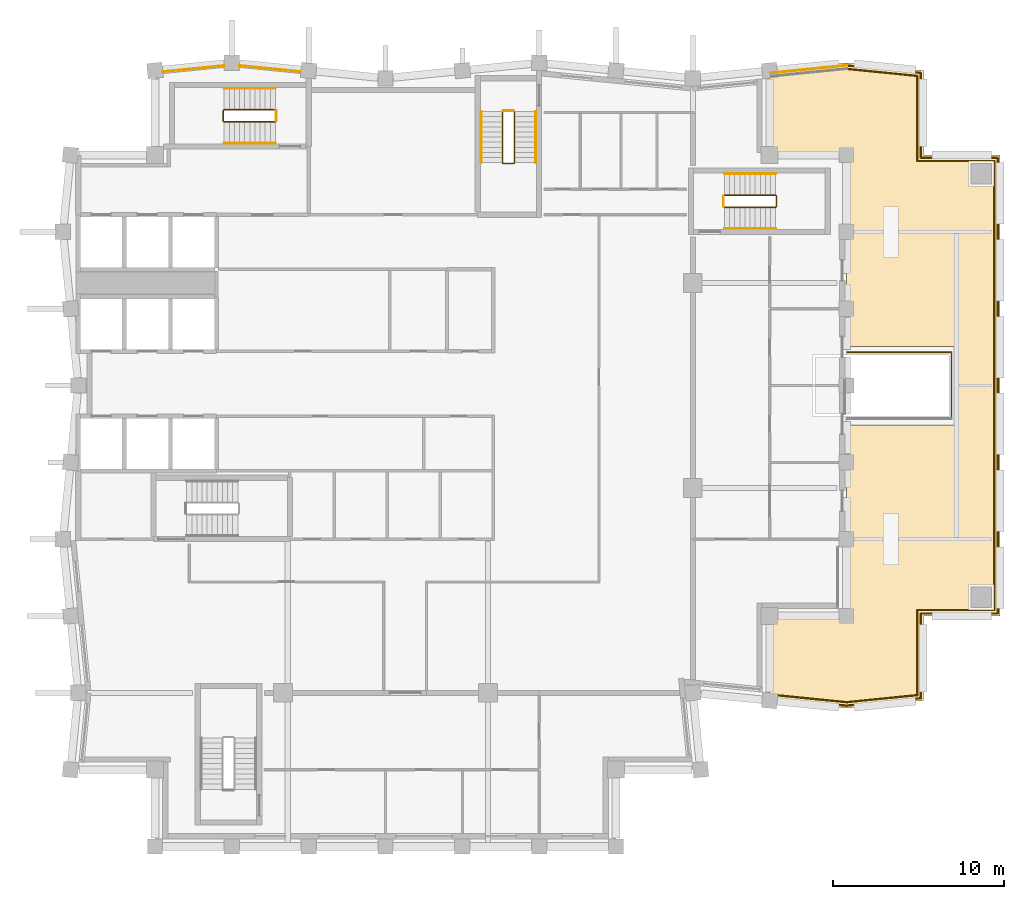
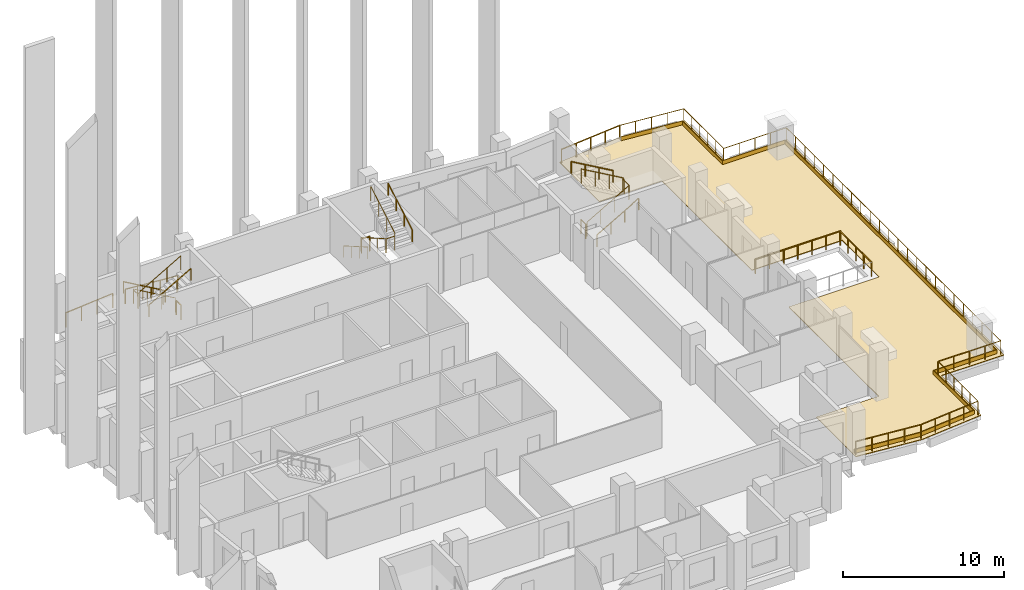
# One storey, part 10 of 11: 17 railings, 2 coverings.
"""IFC4 building model written with IfcOpenShell, lengths in metres."""

from ifc_helpers import new_model, si_unit, direction, frame, origin, origin_2d, place, context, subcontext, project, spatial, polyline, circle, outline, extrude, material, layer, layer_set, type_object, element, save


model = new_model("IFC4")

# Units and contexts
model_context = context("Model", 3, precision=1e-05, world=origin(), true_north=direction((0.0, 1.0)))
body_context = subcontext(model_context, "Body", "Model", "MODEL_VIEW")
ifc_project = project(units=[si_unit("LENGTHUNIT", "METRE"), si_unit("AREAUNIT", "SQUARE_METRE"), si_unit("VOLUMEUNIT", "CUBIC_METRE"), si_unit("PLANEANGLEUNIT", "RADIAN"), si_unit("MASSUNIT", "GRAM", prefix="KILO")], contexts=[model_context])

# Site, building, storey
site_placement = place(None, origin())
site = spatial("IfcSite", under=ifc_project, at=site_placement, CompositionType="ELEMENT")
building_placement = place(site_placement, origin())
building = spatial("IfcBuilding", under=site, at=building_placement, Name="Brondeck Convention Tower", CompositionType="ELEMENT")
storey_placement = place(building_placement, frame((0.0, 0.0, 252.39990234375)))
storey = spatial("IfcBuildingStorey", under=building, at=storey_placement, Name="L62", CompositionType="ELEMENT", Elevation=252.39990234375)

# Railings
ifc_material_1 = material(Name="Steel S355, bronze painted", Category="steel")
railing_type_1 = type_object("IfcRailingType", Name="Guard, bronze steel rail and posts", PredefinedType="GUARDRAIL", material=ifc_material_1)
railing_1_placement = place(storey_placement, frame((45.050048828125, 46.949951171875, 0.0)))
element("IfcRailing", 1, at=railing_1_placement, inside=storey, type_object=railing_type_1, Name="ENV-S3-1-WRL2", PredefinedType="GUARDRAIL", context=body_context, shape_type="SweptSolid", body=[
    extrude(circle(Radius=0.02490234375, at=origin_2d()), frame((0.0, 0.0, 1.0751953125), z_axis=(1.0, 0.0, 0.0), x_axis=(0.0, 1.0, 0.0)), (0.0, 0.0, 1.0), 6.099853515625),
    extrude(circle(Radius=0.02490234375, at=origin_2d()), frame((6.099853515625, 0.0, 1.0751953125), z_axis=(0.0, -1.0, 0.0), x_axis=(1.0, 0.0, 0.0)), (0.0, 0.0, 1.0), 3.89990234375),
    extrude(circle(Radius=0.02490234375, at=origin_2d()), origin(), (0.0, 0.0, 1.0), 1.050048828125),
    extrude(circle(Radius=0.02490234375, at=origin_2d()), frame((1.0166015625, 0.0, 0.0)), (0.0, 0.0, 1.0), 1.050048828125),
    extrude(circle(Radius=0.02490234375, at=origin_2d()), frame((2.033203125, 0.0, 0.0)), (0.0, 0.0, 1.0), 1.050048828125),
    extrude(circle(Radius=0.02490234375, at=origin_2d()), frame((3.0498046875, 0.0, 0.0)), (0.0, 0.0, 1.0), 1.050048828125),
    extrude(circle(Radius=0.02490234375, at=origin_2d()), frame((4.066650390625, 0.0, 0.0)), (0.0, 0.0, 1.0), 1.050048828125),
    extrude(circle(Radius=0.02490234375, at=origin_2d()), frame((5.083251953125, 0.0, 0.0)), (0.0, 0.0, 1.0), 1.050048828125),
    extrude(circle(Radius=0.02490234375, at=origin_2d()), frame((6.099853515625, 0.0, 0.0)), (0.0, 0.0, 1.0), 1.050048828125),
    extrude(circle(Radius=0.02490234375, at=origin_2d()), frame((6.099853515625, -0.97509765625, 0.0)), (0.0, 0.0, 1.0), 1.050048828125),
    extrude(circle(Radius=0.02490234375, at=origin_2d()), frame((6.099853515625, -1.949951171875, 0.0)), (0.0, 0.0, 1.0), 1.050048828125),
    extrude(circle(Radius=0.02490234375, at=origin_2d()), frame((6.099853515625, -2.9248046875, 0.0)), (0.0, 0.0, 1.0), 1.050048828125),
    extrude(circle(Radius=0.02490234375, at=origin_2d()), frame((6.099853515625, -3.89990234375, 0.0)), (0.0, 0.0, 1.0), 1.050048828125),
])
railing_2_placement = place(storey_placement, frame((44.985107421875, 63.750732421875, 0.0)))
element("IfcRailing", 2, at=railing_2_placement, inside=storey, type_object=railing_type_1, Name="ENV-S3-1a-RL1", PredefinedType="GUARDRAIL", context=body_context, shape_type="SweptSolid", body=[
    extrude(circle(Radius=0.02490234375, at=origin_2d()), frame((0.0, 0.0, 1.0751953125), z_axis=(0.995036639166, -0.09950922931, 0.0), x_axis=(0.09950922931, 0.995036639166, 0.0)), (0.0, 0.0, 1.0), 4.38671875),
    extrude(circle(Radius=0.02490234375, at=origin_2d()), frame((4.364990234375, -0.4365234375, 1.0751953125), z_axis=(0.0, -1.0, 0.0), x_axis=(1.0, 0.0, 0.0)), (0.0, 0.0, 1.0), 4.964111328125),
    extrude(circle(Radius=0.02490234375, at=origin_2d()), frame((4.364990234375, -5.400634765625, 1.0751953125), z_axis=(1.0, 0.0, 0.0), x_axis=(0.0, 1.0, 0.0)), (0.0, 0.0, 1.0), 4.5),
    extrude(circle(Radius=0.02490234375, at=origin_2d()), frame((8.864990234375, -5.400634765625, 1.0751953125), z_axis=(0.0, -1.0, 0.0), x_axis=(1.0, 0.0, 0.0)), (0.0, 0.0, 1.0), 26.7001953125),
    extrude(circle(Radius=0.02490234375, at=origin_2d()), frame((8.864990234375, -32.100830078125, 1.0751953125), z_axis=(-1.0, 0.0, 0.0), x_axis=(0.0, -1.0, 0.0)), (0.0, 0.0, 1.0), 4.5),
    extrude(circle(Radius=0.02490234375, at=origin_2d()), frame((4.364990234375, -32.100830078125, 1.0751953125), z_axis=(0.0, -1.0, 0.0), x_axis=(1.0, 0.0, 0.0)), (0.0, 0.0, 1.0), 4.964111328125),
    extrude(circle(Radius=0.02490234375, at=origin_2d()), frame((4.364990234375, -37.06494140625, 1.0751953125), z_axis=(-0.995036084318, -0.099514777318, 0.0), x_axis=(0.099514777318, -0.995036084318, 0.0)), (0.0, 0.0, 1.0), 4.371826171875),
    extrude(circle(Radius=0.02490234375, at=origin_2d()), frame((0.014892578125, -37.5, 1.0751953125), z_axis=(-0.995035563198, 0.099519987798, 0.0), x_axis=(-0.099519987798, -0.995035563198, 0.0)), (0.0, 0.0, 1.0), 4.45751953125),
    extrude(circle(Radius=0.02490234375, at=origin_2d()), origin(), (0.0, 0.0, 1.0), 1.050048828125),
    extrude(circle(Radius=0.02490234375, at=origin_2d()), frame((1.09130859375, -0.109130859375, 0.0)), (0.0, 0.0, 1.0), 1.050048828125),
    extrude(circle(Radius=0.02490234375, at=origin_2d()), frame((2.1826171875, -0.21826171875, 0.0)), (0.0, 0.0, 1.0), 1.050048828125),
    extrude(circle(Radius=0.02490234375, at=origin_2d()), frame((3.273681640625, -0.327392578125, 0.0)), (0.0, 0.0, 1.0), 1.050048828125),
    extrude(circle(Radius=0.02490234375, at=origin_2d()), frame((4.364990234375, -0.4365234375, 0.0)), (0.0, 0.0, 1.0), 1.050048828125),
    extrude(circle(Radius=0.02490234375, at=origin_2d()), frame((4.364990234375, -1.429443359375, 0.0)), (0.0, 0.0, 1.0), 1.050048828125),
    extrude(circle(Radius=0.02490234375, at=origin_2d()), frame((4.364990234375, -2.422119140625, 0.0)), (0.0, 0.0, 1.0), 1.050048828125),
    extrude(circle(Radius=0.02490234375, at=origin_2d()), frame((4.364990234375, -3.4150390625, 0.0)), (0.0, 0.0, 1.0), 1.050048828125),
    extrude(circle(Radius=0.02490234375, at=origin_2d()), frame((4.364990234375, -4.40771484375, 0.0)), (0.0, 0.0, 1.0), 1.050048828125),
    extrude(circle(Radius=0.02490234375, at=origin_2d()), frame((4.364990234375, -5.400634765625, 0.0)), (0.0, 0.0, 1.0), 1.050048828125),
    extrude(circle(Radius=0.02490234375, at=origin_2d()), frame((5.489990234375, -5.400634765625, 0.0)), (0.0, 0.0, 1.0), 1.050048828125),
    extrude(circle(Radius=0.02490234375, at=origin_2d()), frame((6.614990234375, -5.400634765625, 0.0)), (0.0, 0.0, 1.0), 1.050048828125),
    extrude(circle(Radius=0.02490234375, at=origin_2d()), frame((7.739990234375, -5.400634765625, 0.0)), (0.0, 0.0, 1.0), 1.050048828125),
    extrude(circle(Radius=0.02490234375, at=origin_2d()), frame((8.864990234375, -5.400634765625, 0.0)), (0.0, 0.0, 1.0), 1.050048828125),
    extrude(circle(Radius=0.02490234375, at=origin_2d()), frame((8.864990234375, -6.5615234375, 0.0)), (0.0, 0.0, 1.0), 1.050048828125),
    extrude(circle(Radius=0.02490234375, at=origin_2d()), frame((8.864990234375, -7.722412109375, 0.0)), (0.0, 0.0, 1.0), 1.050048828125),
    extrude(circle(Radius=0.02490234375, at=origin_2d()), frame((8.864990234375, -8.88330078125, 0.0)), (0.0, 0.0, 1.0), 1.050048828125),
    extrude(circle(Radius=0.02490234375, at=origin_2d()), frame((8.864990234375, -10.044189453125, 0.0)), (0.0, 0.0, 1.0), 1.050048828125),
    extrude(circle(Radius=0.02490234375, at=origin_2d()), frame((8.864990234375, -11.205078125, 0.0)), (0.0, 0.0, 1.0), 1.050048828125),
    extrude(circle(Radius=0.02490234375, at=origin_2d()), frame((8.864990234375, -12.365966796875, 0.0)), (0.0, 0.0, 1.0), 1.050048828125),
    extrude(circle(Radius=0.02490234375, at=origin_2d()), frame((8.864990234375, -13.52685546875, 0.0)), (0.0, 0.0, 1.0), 1.050048828125),
    extrude(circle(Radius=0.02490234375, at=origin_2d()), frame((8.864990234375, -14.687744140625, 0.0)), (0.0, 0.0, 1.0), 1.050048828125),
    extrude(circle(Radius=0.02490234375, at=origin_2d()), frame((8.864990234375, -15.8486328125, 0.0)), (0.0, 0.0, 1.0), 1.050048828125),
    extrude(circle(Radius=0.02490234375, at=origin_2d()), frame((8.864990234375, -17.009521484375, 0.0)), (0.0, 0.0, 1.0), 1.050048828125),
    extrude(circle(Radius=0.02490234375, at=origin_2d()), frame((8.864990234375, -18.17041015625, 0.0)), (0.0, 0.0, 1.0), 1.050048828125),
    extrude(circle(Radius=0.02490234375, at=origin_2d()), frame((8.864990234375, -19.3310546875, 0.0)), (0.0, 0.0, 1.0), 1.050048828125),
    extrude(circle(Radius=0.02490234375, at=origin_2d()), frame((8.864990234375, -20.491943359375, 0.0)), (0.0, 0.0, 1.0), 1.050048828125),
    extrude(circle(Radius=0.02490234375, at=origin_2d()), frame((8.864990234375, -21.65283203125, 0.0)), (0.0, 0.0, 1.0), 1.050048828125),
    extrude(circle(Radius=0.02490234375, at=origin_2d()), frame((8.864990234375, -22.813720703125, 0.0)), (0.0, 0.0, 1.0), 1.050048828125),
    extrude(circle(Radius=0.02490234375, at=origin_2d()), frame((8.864990234375, -23.974609375, 0.0)), (0.0, 0.0, 1.0), 1.050048828125),
    extrude(circle(Radius=0.02490234375, at=origin_2d()), frame((8.864990234375, -25.135498046875, 0.0)), (0.0, 0.0, 1.0), 1.050048828125),
    extrude(circle(Radius=0.02490234375, at=origin_2d()), frame((8.864990234375, -26.29638671875, 0.0)), (0.0, 0.0, 1.0), 1.050048828125),
    extrude(circle(Radius=0.02490234375, at=origin_2d()), frame((8.864990234375, -27.457275390625, 0.0)), (0.0, 0.0, 1.0), 1.050048828125),
    extrude(circle(Radius=0.02490234375, at=origin_2d()), frame((8.864990234375, -28.6181640625, 0.0)), (0.0, 0.0, 1.0), 1.050048828125),
    extrude(circle(Radius=0.02490234375, at=origin_2d()), frame((8.864990234375, -29.779052734375, 0.0)), (0.0, 0.0, 1.0), 1.050048828125),
    extrude(circle(Radius=0.02490234375, at=origin_2d()), frame((8.864990234375, -30.93994140625, 0.0)), (0.0, 0.0, 1.0), 1.050048828125),
    extrude(circle(Radius=0.02490234375, at=origin_2d()), frame((8.864990234375, -32.100830078125, 0.0)), (0.0, 0.0, 1.0), 1.050048828125),
    extrude(circle(Radius=0.02490234375, at=origin_2d()), frame((7.739990234375, -32.100830078125, 0.0)), (0.0, 0.0, 1.0), 1.050048828125),
    extrude(circle(Radius=0.02490234375, at=origin_2d()), frame((6.614990234375, -32.100830078125, 0.0)), (0.0, 0.0, 1.0), 1.050048828125),
    extrude(circle(Radius=0.02490234375, at=origin_2d()), frame((5.489990234375, -32.100830078125, 0.0)), (0.0, 0.0, 1.0), 1.050048828125),
    extrude(circle(Radius=0.02490234375, at=origin_2d()), frame((4.364990234375, -32.100830078125, 0.0)), (0.0, 0.0, 1.0), 1.050048828125),
    extrude(circle(Radius=0.02490234375, at=origin_2d()), frame((4.364990234375, -33.09375, 0.0)), (0.0, 0.0, 1.0), 1.050048828125),
    extrude(circle(Radius=0.02490234375, at=origin_2d()), frame((4.364990234375, -34.08642578125, 0.0)), (0.0, 0.0, 1.0), 1.050048828125),
    extrude(circle(Radius=0.02490234375, at=origin_2d()), frame((4.364990234375, -35.079345703125, 0.0)), (0.0, 0.0, 1.0), 1.050048828125),
    extrude(circle(Radius=0.02490234375, at=origin_2d()), frame((4.364990234375, -36.072021484375, 0.0)), (0.0, 0.0, 1.0), 1.050048828125),
    extrude(circle(Radius=0.02490234375, at=origin_2d()), frame((4.364990234375, -37.06494140625, 0.0)), (0.0, 0.0, 1.0), 1.050048828125),
    extrude(circle(Radius=0.02490234375, at=origin_2d()), frame((3.27734375, -37.173828125, 0.0)), (0.0, 0.0, 1.0), 1.050048828125),
    extrude(circle(Radius=0.02490234375, at=origin_2d()), frame((2.18994140625, -37.282470703125, 0.0)), (0.0, 0.0, 1.0), 1.050048828125),
    extrude(circle(Radius=0.02490234375, at=origin_2d()), frame((1.1025390625, -37.39111328125, 0.0)), (0.0, 0.0, 1.0), 1.050048828125),
    extrude(circle(Radius=0.02490234375, at=origin_2d()), frame((0.014892578125, -37.5, 0.0)), (0.0, 0.0, 1.0), 1.050048828125),
    extrude(circle(Radius=0.02490234375, at=origin_2d()), frame((-1.093994140625, -37.38916015625, 0.0)), (0.0, 0.0, 1.0), 1.050048828125),
    extrude(circle(Radius=0.02490234375, at=origin_2d()), frame((-2.20263671875, -37.2783203125, 0.0)), (0.0, 0.0, 1.0), 1.050048828125),
    extrude(circle(Radius=0.02490234375, at=origin_2d()), frame((-3.3115234375, -37.167236328125, 0.0)), (0.0, 0.0, 1.0), 1.050048828125),
    extrude(circle(Radius=0.02490234375, at=origin_2d()), frame((-4.42041015625, -37.056396484375, 0.0)), (0.0, 0.0, 1.0), 1.050048828125),
])
railing_3_placement = place(storey_placement, frame((40.564697265625, 63.3056640625, 0.0)))
element("IfcRailing", 3, at=railing_3_placement, inside=storey, type_object=railing_type_1, Name="ENV-S3-1b-RL1", PredefinedType="GUARDRAIL", context=body_context, shape_type="SweptSolid", body=[
    extrude(circle(Radius=0.02490234375, at=origin_2d()), frame((0.0, 0.0, 1.0751953125), z_axis=(0.995036109194, 0.099514528586, 0.0), x_axis=(-0.099514528586, 0.995036109194, 0.0)), (0.0, 0.0, 1.0), 4.472412109375),
    extrude(circle(Radius=0.02490234375, at=origin_2d()), origin(), (0.0, 0.0, 1.0), 1.050048828125),
    extrude(circle(Radius=0.02490234375, at=origin_2d()), frame((1.112548828125, 0.111328125, 0.0)), (0.0, 0.0, 1.0), 1.050048828125),
    extrude(circle(Radius=0.02490234375, at=origin_2d()), frame((2.22509765625, 0.22265625, 0.0)), (0.0, 0.0, 1.0), 1.050048828125),
    extrude(circle(Radius=0.02490234375, at=origin_2d()), frame((3.337646484375, 0.333740234375, 0.0)), (0.0, 0.0, 1.0), 1.050048828125),
    extrude(circle(Radius=0.02490234375, at=origin_2d()), frame((4.4501953125, 0.445068359375, 0.0)), (0.0, 0.0, 1.0), 1.050048828125),
])
railing_4_placement = place(storey_placement, frame((4.9794921875, 63.37744140625, 0.0)))
element("IfcRailing", 4, at=railing_4_placement, inside=storey, type_object=railing_type_1, Name="ENV-RL-L62-REAR1", PredefinedType="GUARDRAIL", context=body_context, shape_type="SweptSolid", body=[
    extrude(circle(Radius=0.02490234375, at=origin_2d()), frame((0.0, 0.0, 1.0751953125), z_axis=(0.995037864926, 0.099496971632, 0.0), x_axis=(-0.099496971632, 0.995037864926, 0.0)), (0.0, 0.0, 1.0), 3.58251953125),
    extrude(circle(Radius=0.02490234375, at=origin_2d()), origin(), (0.0, 0.0, 1.0), 1.050048828125),
    extrude(circle(Radius=0.02490234375, at=origin_2d()), frame((1.188232421875, 0.118896484375, 0.0)), (0.0, 0.0, 1.0), 1.050048828125),
    extrude(circle(Radius=0.02490234375, at=origin_2d()), frame((2.37646484375, 0.237548828125, 0.0)), (0.0, 0.0, 1.0), 1.050048828125),
    extrude(circle(Radius=0.02490234375, at=origin_2d()), frame((3.564697265625, 0.3564453125, 0.0)), (0.0, 0.0, 1.0), 1.050048828125),
])
railing_5_placement = place(storey_placement, frame((9.455810546875, 63.73388671875, 0.0)))
element("IfcRailing", 5, at=railing_5_placement, inside=storey, type_object=railing_type_1, Name="ENV-RL-L62-REAR2", PredefinedType="GUARDRAIL", context=body_context, shape_type="SweptSolid", body=[
    extrude(circle(Radius=0.02490234375, at=origin_2d()), frame((0.0, 0.0, 1.0751953125), z_axis=(0.995037864926, -0.099496971632, 0.0), x_axis=(0.099496971632, 0.995037864926, 0.0)), (0.0, 0.0, 1.0), 3.58251953125),
    extrude(circle(Radius=0.02490234375, at=origin_2d()), origin(), (0.0, 0.0, 1.0), 1.050048828125),
    extrude(circle(Radius=0.02490234375, at=origin_2d()), frame((1.188232421875, -0.118896484375, 0.0)), (0.0, 0.0, 1.0), 1.050048828125),
    extrude(circle(Radius=0.02490234375, at=origin_2d()), frame((2.37646484375, -0.237548828125, 0.0)), (0.0, 0.0, 1.0), 1.050048828125),
    extrude(circle(Radius=0.02490234375, at=origin_2d()), frame((3.564697265625, -0.3564453125, 0.0)), (0.0, 0.0, 1.0), 1.050048828125),
])

# Covering
ifc_material_2 = material(Name="Aluminium, bronze anodised", Category="aluminium")
ifc_layer_1 = layer(ifc_material_2, 0.050048828125)
ifc_layer_set_1 = layer_set([ifc_layer_1], Name="Snow retention bar")
covering_type_1 = type_object("IfcCoveringType", Name="Snow retention bar", PredefinedType="MOLDING", material=ifc_layer_set_1)
covering_1_placement = place(storey_placement, frame((0.0, 0.0, 0.050048828125)))
element("IfcCovering", 6, at=covering_1_placement, inside=storey, type_object=covering_type_1, Name="ENV-S3-1a-SR1", PredefinedType="MOLDING", context=body_context, shape_type="SweptSolid", body=[
    extrude(outline(polyline([(49.175048828125, 63.156005859375), (44.9677734375, 63.57666015625), (44.962646484375, 63.52685546875), (49.125, 63.110595703125), (49.125, 58.125), (53.625, 58.125), (53.625, 31.875), (49.125, 31.875), (49.125, 26.889404296875), (45.0, 26.476806640625), (40.5869140625, 26.918212890625), (40.58203125, 26.868408203125), (45.0, 26.426513671875), (49.175048828125, 26.843994140625), (49.175048828125, 31.824951171875), (53.675048828125, 31.824951171875), (53.675048828125, 58.175048828125), (49.175048828125, 58.175048828125), (49.175048828125, 63.156005859375)])), origin(), (0.0, 0.0, 1.0), 0.300048828125),
])

# Railings
ifc_material_3 = material(Name="Steel S355", Category="steel")
railing_type_2 = type_object("IfcRailingType", Name="Stair guard 1100", PredefinedType="GUARDRAIL", material=ifc_material_3)
railing_6_placement = place(storey_placement, frame((24.85009765625, 61.050048828125, 0.1728515625)))
element("IfcRailing", 7, at=railing_6_placement, inside=storey, type_object=railing_type_2, Name="L62 ST-2 stair guard 1", PredefinedType="GUARDRAIL", context=body_context, shape_type="SweptSolid", body=[
    extrude(circle(Radius=0.02392578125, at=origin_2d()), frame((0.0, 0.0, 1.076171875), z_axis=(0.0, -0.866619684472, 0.498969260062), x_axis=(1.0, 0.0, 0.0)), (0.0, 0.0, 1.0), 3.461669921875),
    extrude(circle(Radius=0.02392578125, at=origin_2d()), frame((0.0, -3.0, 2.80322265625), z_axis=(0.705375805398, -0.708833529934, 0.0), x_axis=(0.708833529934, 0.705375805398, 0.0)), (0.0, 0.0, 1.0), 0.070556640625),
    extrude(circle(Radius=0.02392578125, at=origin_2d()), frame((0.0498046875, -3.050048828125, 2.80322265625), z_axis=(1.0, 0.0, 0.0), x_axis=(0.0, 1.0, 0.0)), (0.0, 0.0, 1.0), 0.60009765625),
    extrude(circle(Radius=0.02392578125, at=origin_2d()), frame((0.64990234375, -3.050048828125, 2.80322265625), z_axis=(0.268277960024, 0.268277960024, 0.925231793839), x_axis=(-0.707106781187, 0.707106781187, 0.0)), (0.0, 0.0, 1.0), 0.1865234375),
    extrude(circle(Radius=0.02392578125, at=origin_2d()), frame((0.699951171875, -3.0, 2.97607421875), z_axis=(0.0, 0.866619684472, 0.498969260062), x_axis=(-1.0, 0.0, 0.0)), (0.0, 0.0, 1.0), 3.461669921875),
    extrude(circle(Radius=0.02099609375, at=origin_2d()), origin(), (0.0, 0.0, 1.0), 1.052001953125),
    extrude(circle(Radius=0.02099609375, at=origin_2d()), frame((0.0, -1.0, 0.57568359375)), (0.0, 0.0, 1.0), 1.052001953125),
    extrude(circle(Radius=0.02099609375, at=origin_2d()), frame((0.0, -2.0, 1.151611328125)), (0.0, 0.0, 1.0), 1.052001953125),
    extrude(circle(Radius=0.02099609375, at=origin_2d()), frame((0.0, -3.0, 1.727294921875)), (0.0, 0.0, 1.0), 1.052001953125),
    extrude(circle(Radius=0.02099609375, at=origin_2d()), frame((0.0498046875, -3.050048828125, 1.727294921875)), (0.0, 0.0, 1.0), 1.052001953125),
    extrude(circle(Radius=0.02099609375, at=origin_2d()), frame((0.64990234375, -3.050048828125, 1.727294921875)), (0.0, 0.0, 1.0), 1.052001953125),
    extrude(circle(Radius=0.02099609375, at=origin_2d()), frame((0.699951171875, -3.0, 1.89990234375)), (0.0, 0.0, 1.0), 1.052001953125),
    extrude(circle(Radius=0.02099609375, at=origin_2d()), frame((0.699951171875, -2.0, 2.4755859375)), (0.0, 0.0, 1.0), 1.052001953125),
    extrude(circle(Radius=0.02099609375, at=origin_2d()), frame((0.699951171875, -1.0, 3.051513671875)), (0.0, 0.0, 1.0), 1.052001953125),
    extrude(circle(Radius=0.02099609375, at=origin_2d()), frame((0.699951171875, 0.0, 3.627197265625)), (0.0, 0.0, 1.0), 1.052001953125),
])
railing_7_placement = place(storey_placement, frame((24.89990234375, 61.10009765625, 0.0)))
element("IfcRailing", 8, at=railing_7_placement, inside=storey, type_object=railing_type_2, Name="L62 ST-2 stair guard 2", PredefinedType="GUARDRAIL", context=body_context, shape_type="SweptSolid", body=[
    extrude(circle(Radius=0.02392578125, at=origin_2d()), frame((0.0, 0.0, 1.076171875), z_axis=(1.0, 0.0, 0.0), x_axis=(0.0, 1.0, 0.0)), (0.0, 0.0, 1.0), 0.60009765625),
    extrude(circle(Radius=0.02099609375, at=origin_2d()), origin(), (0.0, 0.0, 1.0), 1.052001953125),
    extrude(circle(Radius=0.02099609375, at=origin_2d()), frame((0.60009765625, 0.0, 0.0)), (0.0, 0.0, 1.0), 1.052001953125),
])
railing_8_placement = place(storey_placement, frame((11.550048828125, 61.14990234375, 0.1728515625)))
element("IfcRailing", 9, at=railing_8_placement, inside=storey, type_object=railing_type_2, Name="L62 ST-3 stair guard 1", PredefinedType="GUARDRAIL", context=body_context, shape_type="SweptSolid", body=[
    extrude(circle(Radius=0.02392578125, at=origin_2d()), frame((0.0, 0.0, 1.076171875), z_axis=(-0.866619684472, 0.0, 0.498969260062), x_axis=(0.0, -1.0, 0.0)), (0.0, 0.0, 1.0), 3.461669921875),
    extrude(circle(Radius=0.02392578125, at=origin_2d()), frame((-3.0, 0.0, 2.80322265625), z_axis=(-0.708833529934, -0.705375805398, 0.0), x_axis=(0.705375805398, -0.708833529934, 0.0)), (0.0, 0.0, 1.0), 0.070556640625),
    extrude(circle(Radius=0.02392578125, at=origin_2d()), frame((-3.050048828125, -0.0498046875, 2.80322265625), z_axis=(0.0, -1.0, 0.0), x_axis=(1.0, 0.0, 0.0)), (0.0, 0.0, 1.0), 0.60009765625),
    extrude(circle(Radius=0.02392578125, at=origin_2d()), frame((-3.050048828125, -0.64990234375, 2.80322265625), z_axis=(0.268277960024, -0.268277960024, 0.925231793839), x_axis=(0.707106781187, 0.707106781187, 0.0)), (0.0, 0.0, 1.0), 0.1865234375),
    extrude(circle(Radius=0.02392578125, at=origin_2d()), frame((-3.0, -0.699951171875, 2.97607421875), z_axis=(0.866619684472, 0.0, 0.498969260062), x_axis=(0.0, 1.0, 0.0)), (0.0, 0.0, 1.0), 3.461669921875),
    extrude(circle(Radius=0.02099609375, at=origin_2d()), origin(), (0.0, 0.0, 1.0), 1.052001953125),
    extrude(circle(Radius=0.02099609375, at=origin_2d()), frame((-1.0, 0.0, 0.57568359375)), (0.0, 0.0, 1.0), 1.052001953125),
    extrude(circle(Radius=0.02099609375, at=origin_2d()), frame((-2.0, 0.0, 1.151611328125)), (0.0, 0.0, 1.0), 1.052001953125),
    extrude(circle(Radius=0.02099609375, at=origin_2d()), frame((-3.0, 0.0, 1.727294921875)), (0.0, 0.0, 1.0), 1.052001953125),
    extrude(circle(Radius=0.02099609375, at=origin_2d()), frame((-3.050048828125, -0.0498046875, 1.727294921875)), (0.0, 0.0, 1.0), 1.052001953125),
    extrude(circle(Radius=0.02099609375, at=origin_2d()), frame((-3.050048828125, -0.64990234375, 1.727294921875)), (0.0, 0.0, 1.0), 1.052001953125),
    extrude(circle(Radius=0.02099609375, at=origin_2d()), frame((-3.0, -0.699951171875, 1.89990234375)), (0.0, 0.0, 1.0), 1.052001953125),
    extrude(circle(Radius=0.02099609375, at=origin_2d()), frame((-2.0, -0.699951171875, 2.4755859375)), (0.0, 0.0, 1.0), 1.052001953125),
    extrude(circle(Radius=0.02099609375, at=origin_2d()), frame((-1.0, -0.699951171875, 3.051513671875)), (0.0, 0.0, 1.0), 1.052001953125),
    extrude(circle(Radius=0.02099609375, at=origin_2d()), frame((0.0, -0.699951171875, 3.627197265625)), (0.0, 0.0, 1.0), 1.052001953125),
])
railing_9_placement = place(storey_placement, frame((11.60009765625, 61.10009765625, 0.0)))
element("IfcRailing", 10, at=railing_9_placement, inside=storey, type_object=railing_type_2, Name="L62 ST-3 stair guard 2", PredefinedType="GUARDRAIL", context=body_context, shape_type="SweptSolid", body=[
    extrude(circle(Radius=0.02392578125, at=origin_2d()), frame((0.0, 0.0, 1.076171875), z_axis=(0.0, -1.0, 0.0), x_axis=(1.0, 0.0, 0.0)), (0.0, 0.0, 1.0), 0.60009765625),
    extrude(circle(Radius=0.02099609375, at=origin_2d()), origin(), (0.0, 0.0, 1.0), 1.052001953125),
    extrude(circle(Radius=0.02099609375, at=origin_2d()), frame((0.0, -0.60009765625, 0.0)), (0.0, 0.0, 1.0), 1.052001953125),
])
railing_10_placement = place(storey_placement, frame((37.85009765625, 55.449951171875, 0.1728515625)))
element("IfcRailing", 11, at=railing_10_placement, inside=storey, type_object=railing_type_2, Name="L62 ST-AE stair guard 1", PredefinedType="GUARDRAIL", context=body_context, shape_type="SweptSolid", body=[
    extrude(circle(Radius=0.02392578125, at=origin_2d()), frame((0.0, 0.0, 1.076171875), z_axis=(0.866619684472, 0.0, 0.498969260062), x_axis=(0.0, 1.0, 0.0)), (0.0, 0.0, 1.0), 3.461669921875),
    extrude(circle(Radius=0.02392578125, at=origin_2d()), frame((3.0, 0.0, 2.80322265625), z_axis=(0.705375805398, 0.708833529934, 0.0), x_axis=(-0.708833529934, 0.705375805398, 0.0)), (0.0, 0.0, 1.0), 0.070556640625),
    extrude(circle(Radius=0.02392578125, at=origin_2d()), frame((3.0498046875, 0.050048828125, 2.80322265625), z_axis=(0.0, 1.0, 0.0), x_axis=(-1.0, 0.0, 0.0)), (0.0, 0.0, 1.0), 0.60009765625),
    extrude(circle(Radius=0.02392578125, at=origin_2d()), frame((3.0498046875, 0.650146484375, 2.80322265625), z_axis=(-0.26715648603, 0.26715648603, 0.925880566782), x_axis=(-0.707106781187, -0.707106781187, 0.0)), (0.0, 0.0, 1.0), 0.1865234375),
    extrude(circle(Radius=0.02392578125, at=origin_2d()), frame((3.0, 0.699951171875, 2.97607421875), z_axis=(-0.866619684472, 0.0, 0.498969260062), x_axis=(0.0, -1.0, 0.0)), (0.0, 0.0, 1.0), 3.461669921875),
    extrude(circle(Radius=0.02099609375, at=origin_2d()), origin(), (0.0, 0.0, 1.0), 1.052001953125),
    extrude(circle(Radius=0.02099609375, at=origin_2d()), frame((1.0, 0.0, 0.57568359375)), (0.0, 0.0, 1.0), 1.052001953125),
    extrude(circle(Radius=0.02099609375, at=origin_2d()), frame((2.0, 0.0, 1.151611328125)), (0.0, 0.0, 1.0), 1.052001953125),
    extrude(circle(Radius=0.02099609375, at=origin_2d()), frame((3.0, 0.0, 1.727294921875)), (0.0, 0.0, 1.0), 1.052001953125),
    extrude(circle(Radius=0.02099609375, at=origin_2d()), frame((3.0498046875, 0.050048828125, 1.727294921875)), (0.0, 0.0, 1.0), 1.052001953125),
    extrude(circle(Radius=0.02099609375, at=origin_2d()), frame((3.0498046875, 0.650146484375, 1.727294921875)), (0.0, 0.0, 1.0), 1.052001953125),
    extrude(circle(Radius=0.02099609375, at=origin_2d()), frame((3.0, 0.699951171875, 1.89990234375)), (0.0, 0.0, 1.0), 1.052001953125),
    extrude(circle(Radius=0.02099609375, at=origin_2d()), frame((2.0, 0.699951171875, 2.4755859375)), (0.0, 0.0, 1.0), 1.052001953125),
    extrude(circle(Radius=0.02099609375, at=origin_2d()), frame((1.0, 0.699951171875, 3.051513671875)), (0.0, 0.0, 1.0), 1.052001953125),
    extrude(circle(Radius=0.02099609375, at=origin_2d()), frame((0.0, 0.699951171875, 3.627197265625)), (0.0, 0.0, 1.0), 1.052001953125),
])
railing_11_placement = place(storey_placement, frame((37.800048828125, 55.5, 0.0)))
element("IfcRailing", 12, at=railing_11_placement, inside=storey, type_object=railing_type_2, Name="L62 ST-AE stair guard 2", PredefinedType="GUARDRAIL", context=body_context, shape_type="SweptSolid", body=[
    extrude(circle(Radius=0.02392578125, at=origin_2d()), frame((0.0, 0.0, 1.076171875), z_axis=(0.0, 1.0, 0.0), x_axis=(-1.0, 0.0, 0.0)), (0.0, 0.0, 1.0), 0.60009765625),
    extrude(circle(Radius=0.02099609375, at=origin_2d()), origin(), (0.0, 0.0, 1.0), 1.052001953125),
    extrude(circle(Radius=0.02099609375, at=origin_2d()), frame((0.0, 0.60009765625, 0.0)), (0.0, 0.0, 1.0), 1.052001953125),
])
railing_type_3 = type_object("IfcRailingType", Name="Stair handrail", PredefinedType="HANDRAIL", material=ifc_material_3)
railing_12_placement = place(storey_placement, frame((23.60009765625, 61.050048828125, 0.1728515625)))
element("IfcRailing", 13, at=railing_12_placement, inside=storey, type_object=railing_type_3, Name="L62 ST-2 stair handrail 1", PredefinedType="HANDRAIL", context=body_context, shape_type="SweptSolid", body=[
    extrude(circle(Radius=0.02392578125, at=origin_2d()), frame((0.0, 0.0, 0.8759765625), z_axis=(0.0, -0.866619684472, 0.498969260062), x_axis=(1.0, 0.0, 0.0)), (0.0, 0.0, 1.0), 3.461669921875),
    extrude(circle(Radius=0.02099609375, at=origin_2d()), origin(), (0.0, 0.0, 1.0), 0.851806640625),
    extrude(circle(Radius=0.02099609375, at=origin_2d()), frame((0.0, -1.0, 0.57568359375)), (0.0, 0.0, 1.0), 0.851806640625),
    extrude(circle(Radius=0.02099609375, at=origin_2d()), frame((0.0, -2.0, 1.151611328125)), (0.0, 0.0, 1.0), 0.851806640625),
    extrude(circle(Radius=0.02099609375, at=origin_2d()), frame((0.0, -3.0, 1.727294921875)), (0.0, 0.0, 1.0), 0.851806640625),
])
railing_13_placement = place(storey_placement, frame((26.800048828125, 58.050048828125, 2.07275390625)))
element("IfcRailing", 14, at=railing_13_placement, inside=storey, type_object=railing_type_3, Name="L62 ST-2 stair handrail 2", PredefinedType="HANDRAIL", context=body_context, shape_type="SweptSolid", body=[
    extrude(circle(Radius=0.02392578125, at=origin_2d()), frame((0.0, 0.0, 0.8759765625), z_axis=(0.0, 0.866619684472, 0.498969260062), x_axis=(-1.0, 0.0, 0.0)), (0.0, 0.0, 1.0), 3.461669921875),
    extrude(circle(Radius=0.02099609375, at=origin_2d()), origin(), (0.0, 0.0, 1.0), 0.851806640625),
    extrude(circle(Radius=0.02099609375, at=origin_2d()), frame((0.0, 1.0, 0.57568359375)), (0.0, 0.0, 1.0), 0.851806640625),
    extrude(circle(Radius=0.02099609375, at=origin_2d()), frame((0.0, 2.0, 1.151611328125)), (0.0, 0.0, 1.0), 0.851806640625),
    extrude(circle(Radius=0.02099609375, at=origin_2d()), frame((0.0, 3.0, 1.727294921875)), (0.0, 0.0, 1.0), 0.851806640625),
])
railing_14_placement = place(storey_placement, frame((11.550048828125, 62.39990234375, 0.1728515625)))
element("IfcRailing", 15, at=railing_14_placement, inside=storey, type_object=railing_type_3, Name="L62 ST-3 stair handrail 1", PredefinedType="HANDRAIL", context=body_context, shape_type="SweptSolid", body=[
    extrude(circle(Radius=0.02392578125, at=origin_2d()), frame((0.0, 0.0, 0.8759765625), z_axis=(-0.866619684472, 0.0, 0.498969260062), x_axis=(0.0, -1.0, 0.0)), (0.0, 0.0, 1.0), 3.461669921875),
    extrude(circle(Radius=0.02099609375, at=origin_2d()), origin(), (0.0, 0.0, 1.0), 0.851806640625),
    extrude(circle(Radius=0.02099609375, at=origin_2d()), frame((-1.0, 0.0, 0.57568359375)), (0.0, 0.0, 1.0), 0.851806640625),
    extrude(circle(Radius=0.02099609375, at=origin_2d()), frame((-2.0, 0.0, 1.151611328125)), (0.0, 0.0, 1.0), 0.851806640625),
    extrude(circle(Radius=0.02099609375, at=origin_2d()), frame((-3.0, 0.0, 1.727294921875)), (0.0, 0.0, 1.0), 0.851806640625),
])
for number, where, name in (
    (16, (8.550048828125, 59.199951171875, 2.07275390625), "L62 ST-3 stair handrail 2"),
    (17, (37.85009765625, 54.199951171875, 0.1728515625), "L62 ST-AE stair handrail 1"),
):
    element("IfcRailing", number, at=place(storey_placement, frame(where)), inside=storey, type_object=railing_type_3, Name=name, PredefinedType="HANDRAIL", context=body_context, shape_type="SweptSolid", body=[
        extrude(circle(Radius=0.02392578125, at=origin_2d()), frame((0.0, 0.0, 0.8759765625), z_axis=(0.866619684472, 0.0, 0.498969260062), x_axis=(0.0, 1.0, 0.0)), (0.0, 0.0, 1.0), 3.461669921875),
        extrude(circle(Radius=0.02099609375, at=origin_2d()), origin(), (0.0, 0.0, 1.0), 0.851806640625),
        extrude(circle(Radius=0.02099609375, at=origin_2d()), frame((1.0, 0.0, 0.57568359375)), (0.0, 0.0, 1.0), 0.851806640625),
        extrude(circle(Radius=0.02099609375, at=origin_2d()), frame((2.0, 0.0, 1.151611328125)), (0.0, 0.0, 1.0), 0.851806640625),
        extrude(circle(Radius=0.02099609375, at=origin_2d()), frame((3.0, 0.0, 1.727294921875)), (0.0, 0.0, 1.0), 0.851806640625),
    ])
railing_15_placement = place(storey_placement, frame((40.85009765625, 57.39990234375, 2.07275390625)))
element("IfcRailing", 18, at=railing_15_placement, inside=storey, type_object=railing_type_3, Name="L62 ST-AE stair handrail 2", PredefinedType="HANDRAIL", context=body_context, shape_type="SweptSolid", body=[
    extrude(circle(Radius=0.02392578125, at=origin_2d()), frame((0.0, 0.0, 0.8759765625), z_axis=(-0.866619684472, 0.0, 0.498969260062), x_axis=(0.0, -1.0, 0.0)), (0.0, 0.0, 1.0), 3.461669921875),
    extrude(circle(Radius=0.02099609375, at=origin_2d()), origin(), (0.0, 0.0, 1.0), 0.851806640625),
    extrude(circle(Radius=0.02099609375, at=origin_2d()), frame((-1.0, 0.0, 0.57568359375)), (0.0, 0.0, 1.0), 0.851806640625),
    extrude(circle(Radius=0.02099609375, at=origin_2d()), frame((-2.0, 0.0, 1.151611328125)), (0.0, 0.0, 1.0), 0.851806640625),
    extrude(circle(Radius=0.02099609375, at=origin_2d()), frame((-3.0, 0.0, 1.727294921875)), (0.0, 0.0, 1.0), 0.851806640625),
])

# Covering
ifc_material_4 = material(Name="Granite paving", Category="masonry")
ifc_layer_2 = layer(ifc_material_4, 0.050048828125)
ifc_layer_set_2 = layer_set([ifc_layer_2], Name="Terrace paving")
covering_type_2 = type_object("IfcCoveringType", Name="Terrace paving", PredefinedType="FLOORING", material=ifc_layer_set_2)
covering_2_placement = place(storey_placement, origin())
element("IfcCovering", 19, at=covering_2_placement, inside=storey, type_object=covering_type_2, Name="ENV-S3-1-PV1", PredefinedType="FLOORING", context=body_context, shape_type="SweptSolid", body=[
    extrude(outline(polyline([(49.5, 63.449951171875), (45.0, 63.89990234375), (40.5, 63.449951171875), (40.5, 58.5), (45.0, 58.5), (45.0, 47.300048828125), (51.5, 47.300048828125), (51.5, 42.699951171875), (45.0, 42.699951171875), (45.0, 31.5), (40.5, 31.5), (40.5, 26.550048828125), (45.0, 26.10009765625), (49.5, 26.550048828125), (49.5, 31.5), (54.0, 31.5), (54.0, 58.5), (49.5, 58.5), (49.5, 63.449951171875)])), origin(), (0.0, 0.0, 1.0), 0.050048828125),
])

save(model, "model.ifc")
